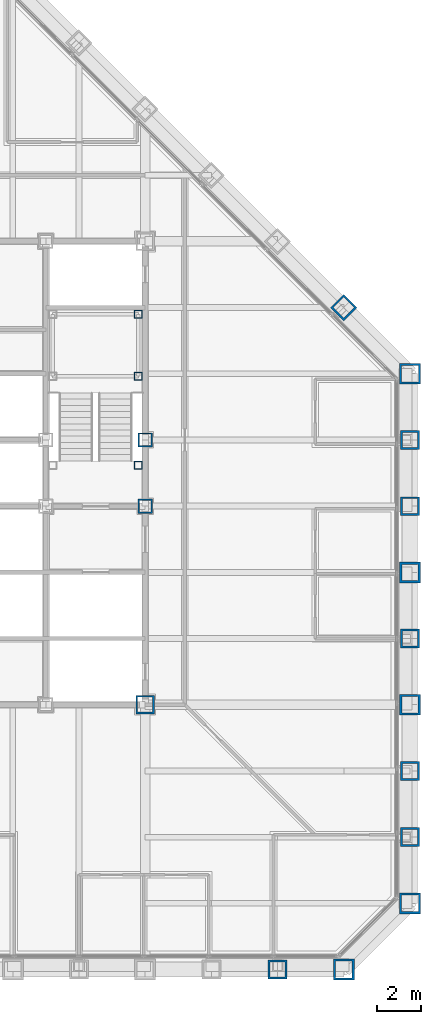
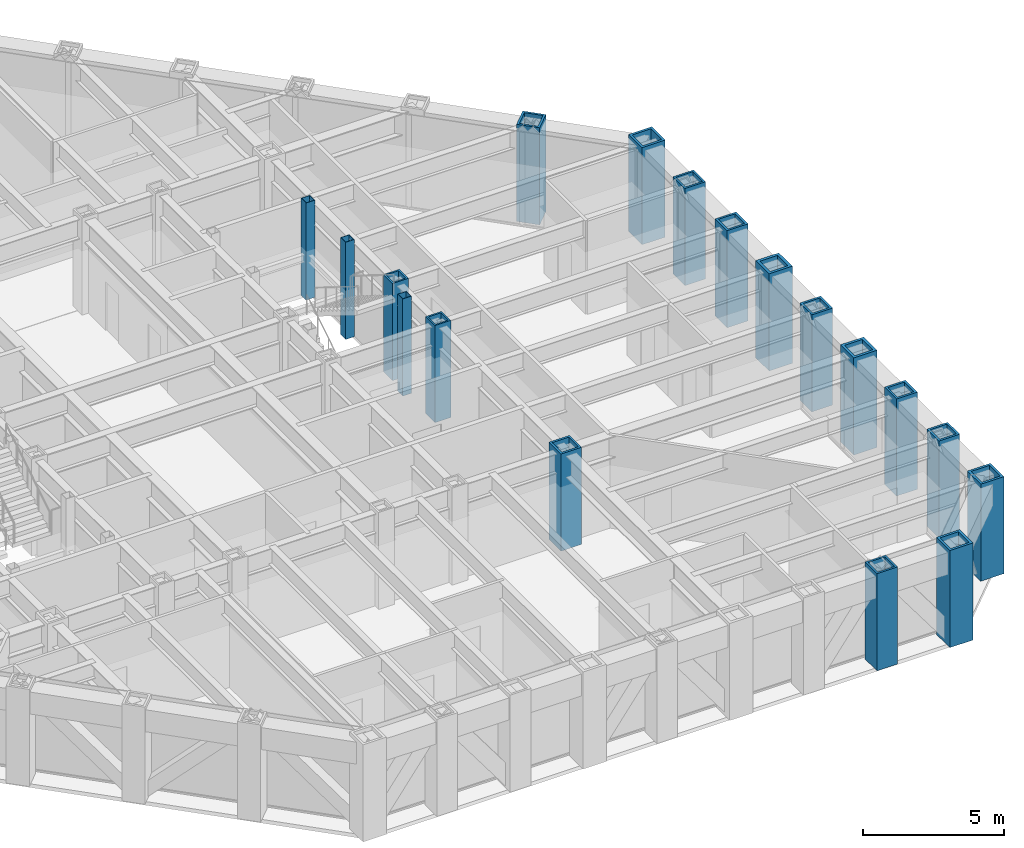
# One storey, part 2 of 17: 18 columns.
"""IFC4 building model written with IfcOpenShell, lengths in metres."""

import ifcopenshell
import ifcopenshell.guid

model = None  # the IFC model being written
_history = None  # IfcOwnerHistory: only IFC2X3 demands one
_inside = {}  # id of a spatial element -> (the spatial element, [elements in it])
_under = {}  # id of a project, library or spatial element -> (it, [spatial elements below it])
_declared = {}  # id of a project -> (the project, [libraries it declares])
_typed = {}  # id of a type object -> (the type object, [elements of that type])
_made_of = {}  # id of a material, layer set ... -> (it, [elements and type objects made of it])


def new_model(schema):
    """Start an empty IFC model of exactly this schema.

    Asked for "IFC4X3", IfcOpenShell would pick the latest addendum, in which some entities
    have other attributes; the version numbers below select the first issue.
    IFC2X3 requires an IfcOwnerHistory on every rooted entity: one is made here for all.
    """
    global model, _history
    if schema == "IFC4X3":
        model = ifcopenshell.file(schema_version=(4, 3, 0, 0))
    else:
        model = ifcopenshell.file(schema=schema)
    _inside.clear()
    _under.clear()
    _declared.clear()
    _typed.clear()
    _made_of.clear()
    _history = None
    if model.schema == "IFC2X3":
        org = make("IfcOrganization", Name="unknown")
        user = make(
            "IfcPersonAndOrganization",
            ThePerson=make("IfcPerson", FamilyName="unknown"),
            TheOrganization=org,
        )
        app = make(
            "IfcApplication",
            ApplicationDeveloper=org,
            Version="unknown",
            ApplicationFullName="unknown",
            ApplicationIdentifier="unknown",
        )
        _history = make(
            "IfcOwnerHistory",
            OwningUser=user,
            OwningApplication=app,
            ChangeAction="ADDED",
            CreationDate=0,
        )
    return model


def make(cls, **values):
    """One entity of the class cls with the attributes given. An attribute that is None is left unset."""
    return model.create_entity(
        cls, **{name: value for name, value in values.items() if value is not None}
    )


def rooted(cls, **values):
    """An entity with a GlobalId (a new one), such as an element, a storey or a relation."""
    return make(cls, GlobalId=ifcopenshell.guid.new(), OwnerHistory=_history, **values)


def si_unit(unit_type, name, prefix=None):
    """IfcSIUnit, for example si_unit("LENGTHUNIT", "METRE", prefix="MILLI")."""
    return make("IfcSIUnit", UnitType=unit_type, Prefix=prefix, Name=name)


def assignment(units):
    """IfcUnitAssignment: the units of a project."""
    return None if units is None else make("IfcUnitAssignment", Units=units)


def point(xyz):
    """IfcCartesianPoint."""
    return None if xyz is None else make("IfcCartesianPoint", Coordinates=xyz)


def direction(xyz):
    """IfcDirection."""
    return None if xyz is None else make("IfcDirection", DirectionRatios=xyz)


def frame(location, z_axis=None, x_axis=None):
    """IfcAxis2Placement3D, a coordinate frame: its origin and axes. An axis left out is left unset."""
    return make(
        "IfcAxis2Placement3D",
        Location=point(location),
        Axis=direction(z_axis),
        RefDirection=direction(x_axis),
    )


def frame_2d(location, x_axis=None):
    """IfcAxis2Placement2D, a coordinate frame in the plane: its origin and x axis."""
    return make(
        "IfcAxis2Placement2D", Location=point(location), RefDirection=direction(x_axis)
    )


def origin():
    """The frame at (0, 0, 0) with its axes left unset."""
    return frame((0.0, 0.0, 0.0))


def origin_2d():
    """The frame at (0, 0) in the plane with its x axis left unset."""
    return frame_2d((0.0, 0.0))


def place(relative_to, where):
    """IfcLocalPlacement: puts the frame where relative to a parent placement (None: the world)."""
    return make(
        "IfcLocalPlacement", PlacementRelTo=relative_to, RelativePlacement=where
    )


def context(
    kind, dimensions, precision=None, world=None, true_north=None, identifier=None
):
    """IfcGeometricRepresentationContext, for example the 3D "Model" context."""
    return make(
        "IfcGeometricRepresentationContext",
        ContextIdentifier=identifier,
        ContextType=kind,
        CoordinateSpaceDimension=dimensions,
        Precision=precision,
        WorldCoordinateSystem=world,
        TrueNorth=true_north,
    )


def subcontext(parent, identifier, kind, view, scale=None):
    """IfcGeometricRepresentationSubContext, for example "Body" below "Model"."""
    return make(
        "IfcGeometricRepresentationSubContext",
        ContextIdentifier=identifier,
        ContextType=kind,
        ParentContext=parent,
        TargetScale=scale,
        TargetView=view,
    )


def project(units=None, contexts=None):
    """IfcProject with its units and contexts."""
    return rooted(
        "IfcProject",
        Name="project",
        RepresentationContexts=contexts,
        UnitsInContext=assignment(units),
    )


def spatial(cls, under=None, at=None, **own):
    """A site, building, storey or space (cls), placed at a placement, below another one or the project."""
    s = rooted(cls, ObjectPlacement=at, **own)
    if under is not None:
        _under.setdefault(under.id(), (under, []))[1].append(s)
    return s


def profile(cls, at=None, kind="AREA", **sizes):
    """A parametric profile (cls). Its sizes go by their IFC names, for example OverallWidth=200.0."""
    return make(cls, ProfileType=kind, Position=at, **sizes)


def hollow_rectangle(**sizes):
    """IfcRectangleHollowProfileDef."""
    return profile("IfcRectangleHollowProfileDef", **sizes)


def extrude(swept, where, along, depth):
    """IfcExtrudedAreaSolid: the profile swept, set in the frame where, extruded along a direction by depth."""
    return make(
        "IfcExtrudedAreaSolid",
        SweptArea=swept,
        Position=where,
        ExtrudedDirection=direction(along),
        Depth=depth,
    )


def shape(context_of_items, identifier, shape_type, items):
    """IfcShapeRepresentation: the items that make up one representation, for example the "Body"."""
    return make(
        "IfcShapeRepresentation",
        ContextOfItems=context_of_items,
        RepresentationIdentifier=identifier,
        RepresentationType=shape_type,
        Items=items,
    )


def material(Name=None, Category=None):
    """IfcMaterial."""
    return make("IfcMaterial", Name=Name, Category=Category)


def material_profile(
    of_material, cross_section, Name=None, Category=None, Priority=None
):
    """IfcMaterialProfile: a cross section and its material."""
    return make(
        "IfcMaterialProfile",
        Name=Name,
        Material=of_material,
        Profile=cross_section,
        Priority=Priority,
        Category=Category,
    )


def profile_set(profiles, Name=None, composite=None):
    """IfcMaterialProfileSet."""
    return make(
        "IfcMaterialProfileSet",
        Name=Name,
        MaterialProfiles=profiles,
        CompositeProfile=composite,
    )


def made_of(thing, what):
    """Note that an element or type object is made of a material, layer set ...; save() writes the relation."""
    if what is not None:
        _made_of.setdefault(what.id(), (what, []))[1].append(thing)
    return thing


def type_object(cls, material=None, **own):
    """A type object (cls), such as IfcWallType, which elements share."""
    return made_of(rooted(cls, **own), material)


def element(
    cls,
    number,
    at=None,
    inside=None,
    cuts=None,
    type_object=None,
    material=None,
    context=None,
    identifier="Body",
    shape_type=None,
    held_by="IfcProductDefinitionShape",
    body=None,
    shapes=None,
    **own,
):
    """One element of the class cls, such as IfcWall. Its Tag is "e" and its number.

    at: its placement. inside: the storey or other place that contains it. cuts: it is an
    opening in that element (IfcRelVoidsElement). A single representation is given by context,
    identifier, shape_type and body (its items); several are given by shapes. held_by: the class
    of the entity that holds the representations. save() writes the other relations.
    """
    e = rooted(cls, Tag="e%d" % number, ObjectPlacement=at, **own)
    if body is not None:
        shapes = [shape(context, identifier, shape_type, body)]
    if shapes is not None:
        e.Representation = make(held_by, Representations=shapes)
    if inside is not None:
        _inside.setdefault(inside.id(), (inside, []))[1].append(e)
    if cuts is not None:
        rooted(
            "IfcRelVoidsElement", RelatingBuildingElement=cuts, RelatedOpeningElement=e
        )
    if type_object is not None:
        _typed.setdefault(type_object.id(), (type_object, []))[1].append(e)
    return made_of(e, material)


def aggregate(whole, parts):
    """IfcRelAggregates: a whole, such as a stair, and the parts it consists of."""
    return rooted("IfcRelAggregates", RelatingObject=whole, RelatedObjects=parts)


def save(model, path):
    """Write the relations noted so far, then the file.

    IfcRelAggregates (storeys below a building ...), IfcRelContainedInSpatialStructure (elements
    in a storey), IfcRelDefinesByType, IfcRelAssociatesMaterial and IfcRelDeclares: one each for
    every whole, place, type object, material and project.
    """
    for whole, parts in _under.values():
        aggregate(whole, parts)
    for where, things in _inside.values():
        rooted(
            "IfcRelContainedInSpatialStructure",
            RelatedElements=things,
            RelatingStructure=where,
        )
    for kind, things in _typed.values():
        rooted("IfcRelDefinesByType", RelatedObjects=things, RelatingType=kind)
    for what, things in _made_of.values():
        rooted("IfcRelAssociatesMaterial", RelatedObjects=things, RelatingMaterial=what)
    for by, libraries in _declared.values():
        rooted("IfcRelDeclares", RelatingContext=by, RelatedDefinitions=libraries)
    model.write(path)


model = new_model("IFC4")

# Units and contexts
model_context = context("Model", 3, precision=1e-05, world=origin(), true_north=direction((0.0, 1.0)))
body_context = subcontext(model_context, "Body", "Model", "MODEL_VIEW")
ifc_project = project(units=[si_unit("LENGTHUNIT", "METRE"), si_unit("AREAUNIT", "SQUARE_METRE"), si_unit("VOLUMEUNIT", "CUBIC_METRE"), si_unit("PLANEANGLEUNIT", "RADIAN"), si_unit("MASSUNIT", "GRAM", prefix="KILO")], contexts=[model_context])

# Site, building, storey
site_placement = place(None, origin())
site = spatial("IfcSite", under=ifc_project, at=site_placement, CompositionType="ELEMENT")
building_placement = place(site_placement, origin())
building = spatial("IfcBuilding", under=site, at=building_placement, Name="Chuquiago Exchange Tower", CompositionType="ELEMENT")
storey_placement = place(building_placement, frame((0.0, 0.0, 169.800048828125)))
storey = spatial("IfcBuildingStorey", under=building, at=storey_placement, Name="L37", CompositionType="ELEMENT", Elevation=169.800048828125)

# Columns
ifc_material_1 = material(Name="Steel ASTM A572 Grade 50", Category="steel")
ifc_material_profile_1 = material_profile(ifc_material_1, hollow_rectangle(XDim=0.85009765625, YDim=0.85009765625, WallThickness=0.0849609375, at=origin_2d()), Name="BOX850X850X85")
ifc_profile_set_1 = profile_set([ifc_material_profile_1], Name="Steel ASTM A572 Grade 50")
column_type_1 = type_object("IfcColumnType", Name="C6 BOX850X850X85", PredefinedType="COLUMN", material=ifc_profile_set_1)
for number, where, z_axis, x_axis, name in (
    (1, (39.0, 0.0, 0.0), (0.0, 0.0, 1.0), (0.0, -1.0, 0.0), "COL-L37-39_0"),
    (2, (45.0, 6.0, 0.0), (0.0, 0.0, 1.0), (1.0, 0.0, 0.0), "COL-L37-45_6"),
    (3, (45.0, 9.0, 0.0), (0.0, 0.0, 1.0), (1.0, 0.0, 0.0), "COL-L37-45_9"),
    (4, (45.0, 15.0, 0.0), (0.0, 0.0, 1.0), (1.0, 0.0, 0.0), "COL-L37-45_15"),
    (5, (45.0, 21.0, 0.0), (0.0, 0.0, 1.0), (1.0, 0.0, 0.0), "COL-L37-45_21"),
    (6, (45.0, 24.0, 0.0), (0.0, 0.0, 1.0), (1.0, 0.0, 0.0), "COL-L37-45_24"),
    (7, (42.0, 30.0, 0.0), (0.0, 0.0, 1.0), (0.707106781187, 0.707106781187, 0.0), "COL-L37-42_30"),
):
    element("IfcColumn", number, at=place(storey_placement, frame(where, z_axis=z_axis, x_axis=x_axis)), inside=storey, type_object=column_type_1, Name=name, PredefinedType="COLUMN", context=body_context, shape_type="SweptSolid", body=[
        extrude(hollow_rectangle(XDim=0.85009765625, YDim=0.85009765625, WallThickness=0.0849609375, at=origin_2d()), origin(), (0.0, 0.0, 1.0), 4.199951171875),
    ])
ifc_material_2 = material(Name="Steel ASTM A572 Grade 50", Category="steel")
ifc_material_profile_2 = material_profile(ifc_material_2, hollow_rectangle(XDim=0.85009765625, YDim=0.85009765625, WallThickness=0.0849609375, at=origin_2d()), Name="BOX850X850X85")
ifc_profile_set_2 = profile_set([ifc_material_profile_2], Name="Steel ASTM A572 Grade 50")
column_type_2 = type_object("IfcColumnType", Name="CC6 BOX850X850X85", PredefinedType="COLUMN", material=ifc_profile_set_2)
column_placement = place(storey_placement, frame((33.0, 12.0, 0.0), z_axis=(0.0, 0.0, 1.0), x_axis=(1.0, 0.0, 0.0)))
element("IfcColumn", 8, at=column_placement, inside=storey, type_object=column_type_2, Name="CCOL-L37-33_12", PredefinedType="COLUMN", context=body_context, shape_type="SweptSolid", body=[
    extrude(hollow_rectangle(XDim=0.85009765625, YDim=0.85009765625, WallThickness=0.0849609375, at=origin_2d()), origin(), (0.0, 0.0, 1.0), 4.199951171875),
])
ifc_material_3 = material(Name="Steel ASTM A572 Grade 50", Category="steel")
ifc_material_profile_3 = material_profile(ifc_material_3, hollow_rectangle(XDim=0.64990234375, YDim=0.64990234375, WallThickness=0.06494140625, at=origin_2d()), Name="BOX650X650X65")
ifc_profile_set_3 = profile_set([ifc_material_profile_3], Name="Steel ASTM A572 Grade 50")
column_type_3 = type_object("IfcColumnType", Name="CC7 BOX650X650X65", PredefinedType="COLUMN", material=ifc_profile_set_3)
for number, where, z_axis, x_axis, name in (
    (9, (33.0, 21.0, 0.0), (0.0, 0.0, 1.0), (1.0, 0.0, 0.0), "CCOL-L37-33_21"),
    (10, (33.0, 24.0, 0.0), (0.0, 0.0, 1.0), (1.0, 0.0, 0.0), "CCOL-L37-33_24"),
):
    element("IfcColumn", number, at=place(storey_placement, frame(where, z_axis=z_axis, x_axis=x_axis)), inside=storey, type_object=column_type_3, Name=name, PredefinedType="COLUMN", context=body_context, shape_type="SweptSolid", body=[
        extrude(hollow_rectangle(XDim=0.64990234375, YDim=0.64990234375, WallThickness=0.06494140625, at=origin_2d()), origin(), (0.0, 0.0, 1.0), 4.199951171875),
    ])
ifc_material_4 = material(Name="Steel ASTM A572 Grade 50", Category="steel")
ifc_material_profile_4 = material_profile(ifc_material_4, hollow_rectangle(XDim=0.949951171875, YDim=0.949951171875, WallThickness=0.094970703125, at=origin_2d()), Name="BOX950X950X95")
ifc_profile_set_4 = profile_set([ifc_material_profile_4], Name="Steel ASTM A572 Grade 50")
column_type_4 = type_object("IfcColumnType", Name="CN1 BOX950X950X95", PredefinedType="COLUMN", material=ifc_profile_set_4)
for number, where, z_axis, x_axis, name in (
    (11, (42.0, 0.0, 0.0), (0.0, 0.0, 1.0), (0.0, -1.0, 0.0), "COL-L37-42_0"),
    (12, (45.0, 3.0, 0.0), (0.0, 0.0, 1.0), (1.0, 0.0, 0.0), "COL-L37-45_3"),
    (13, (45.0, 27.0, 0.0), (0.0, 0.0, 1.0), (1.0, 0.0, 0.0), "COL-L37-45_27"),
):
    element("IfcColumn", number, at=place(storey_placement, frame(where, z_axis=z_axis, x_axis=x_axis)), inside=storey, type_object=column_type_4, Name=name, PredefinedType="COLUMN", context=body_context, shape_type="SweptSolid", body=[
        extrude(hollow_rectangle(XDim=0.949951171875, YDim=0.949951171875, WallThickness=0.094970703125, at=origin_2d()), origin(), (0.0, 0.0, 1.0), 4.199951171875),
    ])
ifc_material_5 = material(Name="Steel ASTM A572 Grade 42", Category="steel")
ifc_material_profile_5 = material_profile(ifc_material_5, hollow_rectangle(XDim=0.949951171875, YDim=0.949951171875, WallThickness=0.110107421875, at=origin_2d()), Name="BOX950X950X110")
ifc_profile_set_5 = profile_set([ifc_material_profile_5], Name="Steel ASTM A572 Grade 42")
column_type_5 = type_object("IfcColumnType", Name="CT1 BOX950X950X110", PredefinedType="COLUMN", material=ifc_profile_set_5)
for number, where, z_axis, x_axis, name in (
    (14, (45.0, 12.0, 0.0), (0.0, 0.0, 1.0), (1.0, 0.0, 0.0), "COL-L37-45_12"),
    (15, (45.0, 18.0, 0.0), (0.0, 0.0, 1.0), (1.0, 0.0, 0.0), "COL-L37-45_18"),
):
    element("IfcColumn", number, at=place(storey_placement, frame(where, z_axis=z_axis, x_axis=x_axis)), inside=storey, type_object=column_type_5, Name=name, PredefinedType="COLUMN", context=body_context, shape_type="SweptSolid", body=[
        extrude(hollow_rectangle(XDim=0.949951171875, YDim=0.949951171875, WallThickness=0.110107421875, at=origin_2d()), origin(), (0.0, 0.0, 1.0), 4.199951171875),
    ])
ifc_material_6 = material(Name="Steel ASTM A500 Grade C", Category="steel")
ifc_material_profile_6 = material_profile(ifc_material_6, hollow_rectangle(XDim=0.355712890625, YDim=0.355712890625, WallThickness=0.0146484375, at=origin_2d()), Name="HSS14X14X5/8")
ifc_profile_set_6 = profile_set([ifc_material_profile_6], Name="Steel ASTM A500 Grade C")
column_type_6 = type_object("IfcColumnType", Name="PT2 HSS14X14X5/8", PredefinedType="COLUMN", material=ifc_profile_set_6)
for number, where, z_axis, x_axis, name in (
    (16, (32.68994140625, 29.68994140625, 0.0), (0.0, 0.0, 1.0), (1.0, 0.0, 0.0), "Stair ST2 L37 landing post"),
    (17, (32.68994140625, 26.889892578125, 0.0), (0.0, 0.0, 1.0), (1.0, 0.0, 0.0), "Stair ST2 L37 landing post"),
    (18, (32.68994140625, 22.85009765625, 0.0), (0.0, 0.0, 1.0), (1.0, 0.0, 0.0), "Stair ST2 L37 landing post"),
):
    element("IfcColumn", number, at=place(storey_placement, frame(where, z_axis=z_axis, x_axis=x_axis)), inside=storey, type_object=column_type_6, Name=name, PredefinedType="COLUMN", context=body_context, shape_type="SweptSolid", body=[
        extrude(hollow_rectangle(XDim=0.355712890625, YDim=0.355712890625, WallThickness=0.0146484375, at=origin_2d()), origin(), (0.0, 0.0, 1.0), 4.199951171875),
    ])

save(model, "model.ifc")
